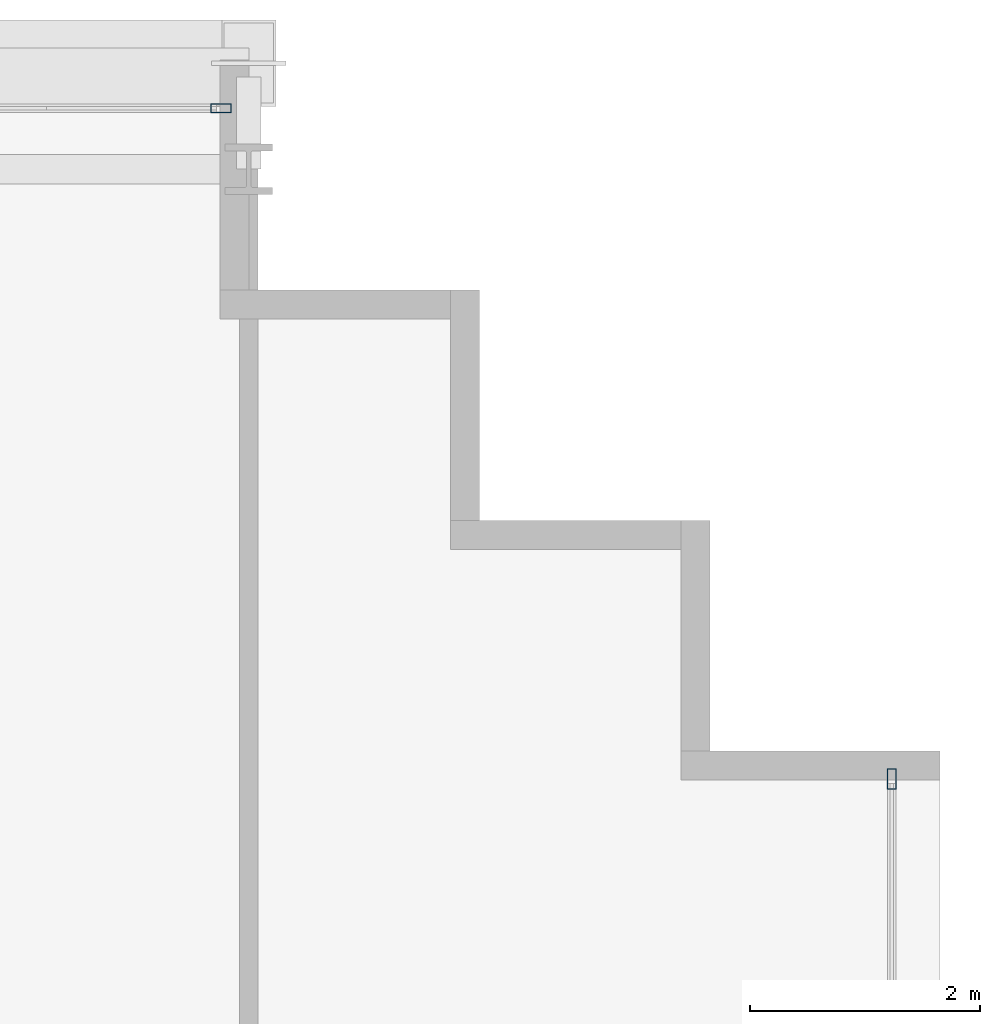
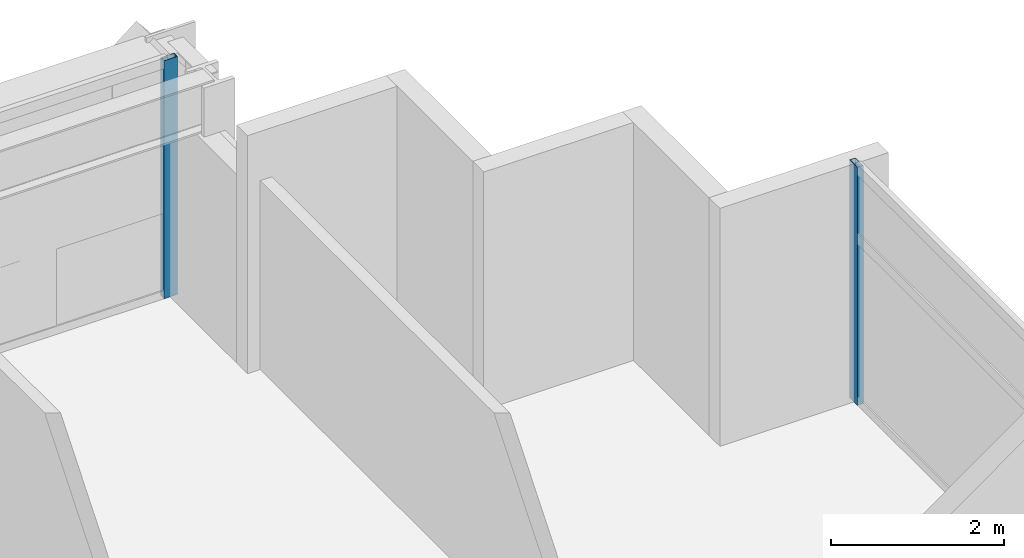
# One storey, part 22 of 36: 2 members, 2 elements without a shape of their own.
"""IFC4 building model written with IfcOpenShell, lengths in metres."""

from ifc_helpers import new_model, si_unit, direction, frame, origin, origin_2d, place, context, subcontext, project, spatial, hollow_rectangle, extrude, source, transform, mapped, material, layer, layer_set, material_profile, profile_set, type_object, element, aggregate, save


model = new_model("IFC4")

# Units and contexts
model_context = context("Model", 3, precision=1e-05, world=origin(), true_north=direction((0.0, 1.0)))
body_context = subcontext(model_context, "Body", "Model", "MODEL_VIEW")
ifc_project = project(units=[si_unit("LENGTHUNIT", "METRE"), si_unit("AREAUNIT", "SQUARE_METRE"), si_unit("VOLUMEUNIT", "CUBIC_METRE"), si_unit("PLANEANGLEUNIT", "RADIAN"), si_unit("MASSUNIT", "GRAM", prefix="KILO")], contexts=[model_context])

# Site, building, storey
site_placement = place(None, origin())
site = spatial("IfcSite", under=ifc_project, at=site_placement, CompositionType="ELEMENT")
building_placement = place(site_placement, origin())
building = spatial("IfcBuilding", under=site, at=building_placement, Name="Ocotamira Hotel", CompositionType="ELEMENT")
storey_placement = place(building_placement, frame((0.0, 0.0, 129.60009765625)))
storey = spatial("IfcBuildingStorey", under=building, at=storey_placement, Name="L32", CompositionType="ELEMENT", Elevation=129.60009765625)

# Curtain wall, member
ifc_material_1 = material(Name="Anodised pale-metal aluminium and solar glass", Category="aluminium")
ifc_layer = layer(ifc_material_1, 0.179931640625)
ifc_layer_set = layer_set([ifc_layer], Name="Anodised pale-metal aluminium and solar glass")
curtain_wall_type = type_object("IfcCurtainWallType", Name="CW-SYS3-Z2", PredefinedType="NOTDEFINED", material=ifc_layer_set)
curtain_wall_1_placement = place(storey_placement, origin())
curtain_wall_1 = element("IfcCurtainWall", 1, at=curtain_wall_1_placement, inside=storey, type_object=curtain_wall_type, Name="L32 Curtain Wall CW-3 CW-L32-N", PredefinedType="NOTDEFINED")
ifc_material_2 = material(Name="Anodised pale-metal aluminium 6063-T6", Category="aluminium")
ifc_material_profile = material_profile(ifc_material_2, hollow_rectangle(XDim=0.080078125, YDim=0.179931640625, WallThickness=0.006103515625, at=origin_2d()), Name="HSS180X80X6")
ifc_profile_set = profile_set([ifc_material_profile], Name="Anodised pale-metal aluminium 6063-T6")
member_type = type_object("IfcMemberType", Name="CWM-180X75", PredefinedType="MULLION", material=ifc_profile_set)
shared_shape = source(origin(), body_context, "Body", "SweptSolid", [
    extrude(hollow_rectangle(XDim=0.080078125, YDim=0.179931640625, WallThickness=0.006103515625, at=origin_2d()), origin(), (0.0, 0.0, 1.0), 3.35986328125),
])
member_1_placement = place(storey_placement, frame((49.760009765625, 49.580078125, 0.0), z_axis=(0.0, 0.0, 1.0), x_axis=(0.0, 1.0, 0.0)))
member_1 = element("IfcMember", 2, at=member_1_placement, type_object=member_type, Name="CW-3 mullion 10", PredefinedType="MULLION", context=body_context, shape_type="MappedRepresentation", body=[
    mapped(shared_shape, transform((0.0, 0.0, 0.0), scale=1.0)),
])
aggregate(curtain_wall_1, [member_1])

curtain_wall_2_placement = place(storey_placement, origin())
curtain_wall_2 = element("IfcCurtainWall", 3, at=curtain_wall_2_placement, inside=storey, type_object=curtain_wall_type, Name="L32 Curtain Wall CW-3 CW-L32-E", PredefinedType="NOTDEFINED")
member_2_placement = place(storey_placement, frame((55.580078125, 43.760009765625, 0.0), z_axis=(0.0, 0.0, 1.0), x_axis=(-1.0, 0.0, 0.0)))
member_2 = element("IfcMember", 4, at=member_2_placement, type_object=member_type, Name="CW-3 mullion 8", PredefinedType="MULLION", context=body_context, shape_type="MappedRepresentation", body=[
    mapped(shared_shape, transform((0.0, 0.0, 0.0), scale=1.0)),
])
aggregate(curtain_wall_2, [member_2])

save(model, "model.ifc")
